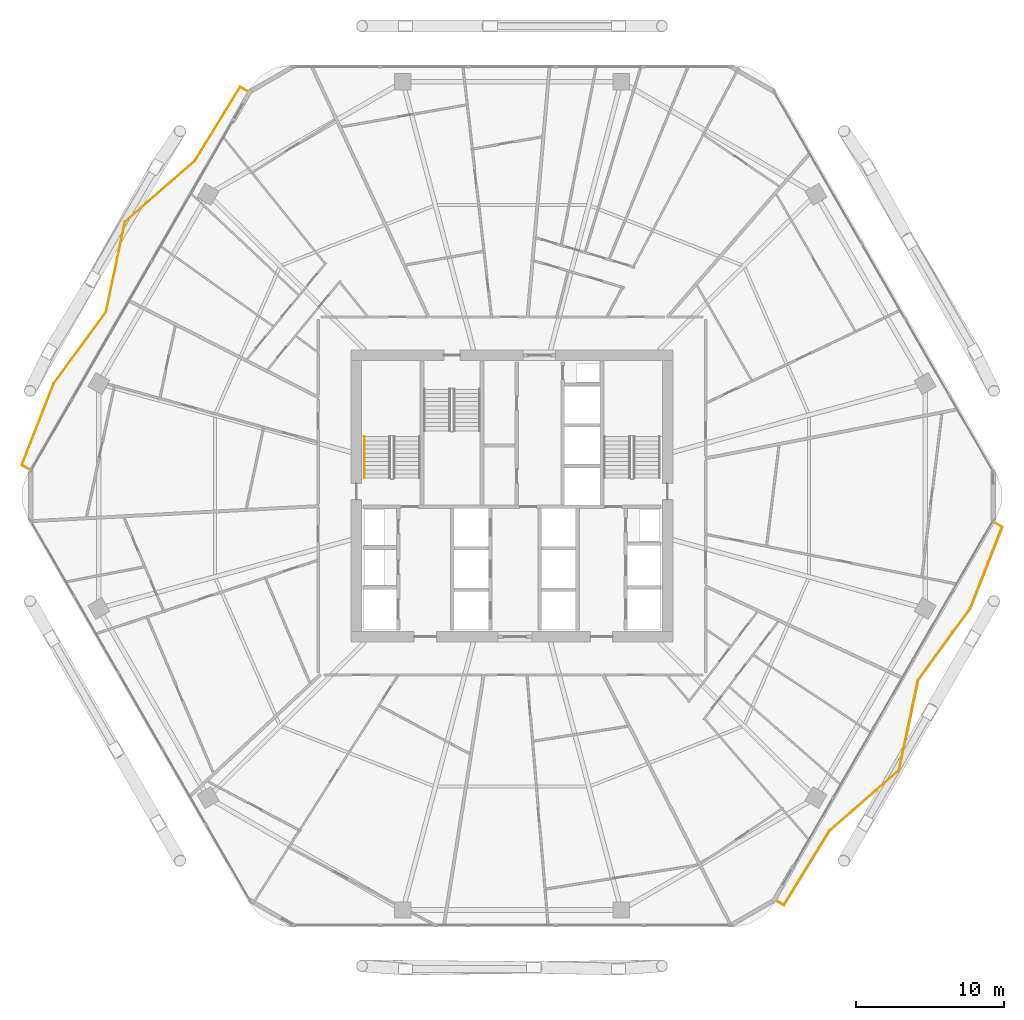
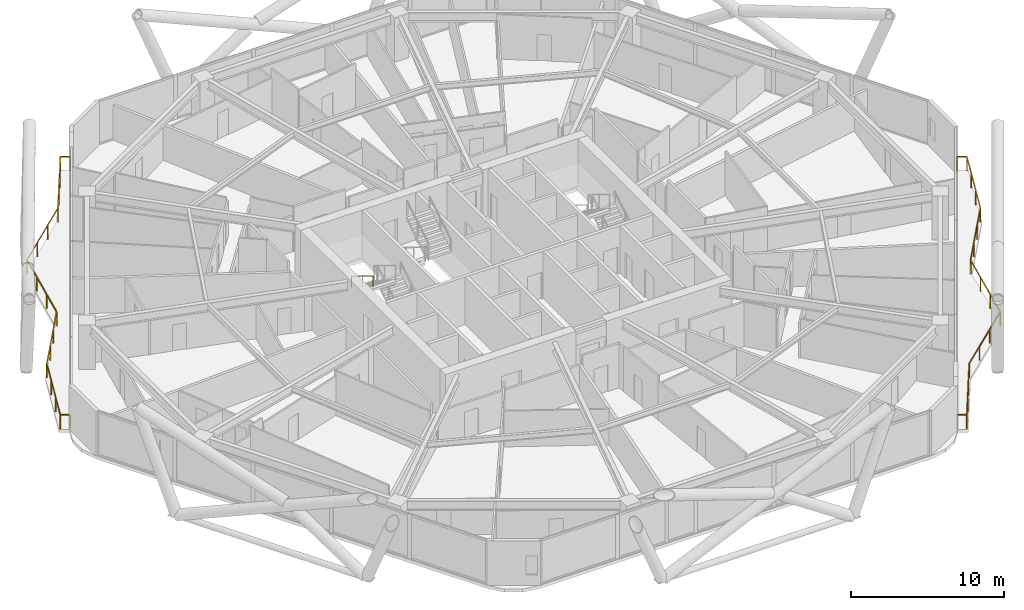
# One storey, part 33 of 34: 3 railings.
"""IFC4 building model written with IfcOpenShell, lengths in metres."""

from ifc_helpers import new_model, si_unit, direction, frame, origin, origin_2d, place, context, subcontext, project, spatial, rectangle, extrude, material, type_object, element, save


model = new_model("IFC4")

# Units and contexts
model_context = context("Model", 3, precision=1e-05, world=origin(), true_north=direction((0.0, 1.0)))
body_context = subcontext(model_context, "Body", "Model", "MODEL_VIEW")
ifc_project = project(units=[si_unit("LENGTHUNIT", "METRE"), si_unit("AREAUNIT", "SQUARE_METRE"), si_unit("VOLUMEUNIT", "CUBIC_METRE"), si_unit("PLANEANGLEUNIT", "RADIAN"), si_unit("MASSUNIT", "GRAM", prefix="KILO")], contexts=[model_context])

# Site, building, storey
site_placement = place(None, origin())
site = spatial("IfcSite", under=ifc_project, at=site_placement, CompositionType="ELEMENT")
building_placement = place(site_placement, origin())
building = spatial("IfcBuilding", under=site, at=building_placement, Name="Zuhravey Tower", CompositionType="ELEMENT")
storey_placement = place(building_placement, frame((0.0, 0.0, 130.39990234375)))
storey = spatial("IfcBuildingStorey", under=building, at=storey_placement, Name="L32", CompositionType="ELEMENT", Elevation=130.39990234375)

# Railings
ifc_material_1 = material(Name="Stainless steel 316 and laminated glass", Category="steel")
railing_type_1 = type_object("IfcRailingType", Name="Balcony & Terrace Guardrail 1150", PredefinedType="BALUSTRADE", material=ifc_material_1)
railing_1_placement = place(storey_placement, frame((3.4833984375, 33.7666015625, 0.0)))
element("IfcRailing", 1, at=railing_1_placement, inside=storey, type_object=railing_type_1, Name="L32 Face 3 Wave Balcony Guardrail GR1", PredefinedType="BALUSTRADE", context=body_context, shape_type="SweptSolid", body=[
    extrude(rectangle(XDim=0.048095703125, YDim=0.048095703125, at=origin_2d()), frame((-0.001708984375, 0.0009765625, 1.1259765625), z_axis=(-0.866098561983, 0.499873264869, 0.0), x_axis=(-0.499873264869, -0.866098561983, 0.0)), (0.0, 0.0, 1.0), 0.64990234375),
    extrude(rectangle(XDim=0.048095703125, YDim=0.048095703125, at=origin_2d()), frame((-0.565673828125, 0.328857421875, 1.1259765625), z_axis=(0.365503842505, 0.9308098308, 0.0), x_axis=(-0.9308098308, 0.365503842505, 0.0)), (0.0, 0.0, 1.0), 5.8955078125),
    extrude(rectangle(XDim=0.048095703125, YDim=0.048095703125, at=origin_2d()), frame((1.591064453125, 5.81982421875, 1.1259765625), z_axis=(0.589665088022, 0.807647871271, 0.0), x_axis=(-0.807647871271, 0.589665088022, 0.0)), (0.0, 0.0, 1.0), 5.969970703125),
    extrude(rectangle(XDim=0.048095703125, YDim=0.048095703125, at=origin_2d()), frame((5.113037109375, 10.64501953125, 1.1259765625), z_axis=(0.205641103943, 0.978627475789, 0.0), x_axis=(-0.978627475789, 0.205641103943, 0.0)), (0.0, 0.0, 1.0), 6.225341796875),
    extrude(rectangle(XDim=0.048095703125, YDim=0.048095703125, at=origin_2d()), frame((6.39501953125, 16.740478515625, 1.1259765625), z_axis=(0.753975532935, 0.656902500936, 0.0), x_axis=(-0.656902500936, 0.753975532935, 0.0)), (0.0, 0.0, 1.0), 6.248291015625),
    extrude(rectangle(XDim=0.048095703125, YDim=0.048095703125, at=origin_2d()), frame((11.108642578125, 20.84814453125, 1.1259765625), z_axis=(0.523638778118, 0.851940391137, 0.0), x_axis=(-0.851940391137, 0.523638778118, 0.0)), (0.0, 0.0, 1.0), 5.84765625),
    extrude(rectangle(XDim=0.048095703125, YDim=0.048095703125, at=origin_2d()), frame((14.173583984375, 25.830810546875, 1.1259765625), z_axis=(0.865919906206, -0.500182682664, 0.0), x_axis=(0.500182682664, 0.865919906206, 0.0)), (0.0, 0.0, 1.0), 0.638916015625),
    extrude(rectangle(XDim=0.0419921875, YDim=0.0419921875, at=origin_2d()), origin(), (0.0, 0.0, 1.0), 1.099853515625),
    extrude(rectangle(XDim=0.0419921875, YDim=0.0419921875, at=origin_2d()), frame((-0.56640625, 0.326904296875, 0.0)), (0.0, 0.0, 1.0), 1.099853515625),
    extrude(rectangle(XDim=0.0419921875, YDim=0.0419921875, at=origin_2d()), frame((0.15234375, 2.1572265625, 0.0)), (0.0, 0.0, 1.0), 1.099853515625),
    extrude(rectangle(XDim=0.0419921875, YDim=0.0419921875, at=origin_2d()), frame((0.87109375, 3.98779296875, 0.0)), (0.0, 0.0, 1.0), 1.099853515625),
    extrude(rectangle(XDim=0.0419921875, YDim=0.0419921875, at=origin_2d()), frame((1.58984375, 5.818115234375, 0.0)), (0.0, 0.0, 1.0), 1.099853515625),
    extrude(rectangle(XDim=0.0419921875, YDim=0.0419921875, at=origin_2d()), frame((2.76416015625, 7.426513671875, 0.0)), (0.0, 0.0, 1.0), 1.099853515625),
    extrude(rectangle(XDim=0.0419921875, YDim=0.0419921875, at=origin_2d()), frame((3.938232421875, 9.03466796875, 0.0)), (0.0, 0.0, 1.0), 1.099853515625),
    extrude(rectangle(XDim=0.0419921875, YDim=0.0419921875, at=origin_2d()), frame((5.112548828125, 10.64306640625, 0.0)), (0.0, 0.0, 1.0), 1.099853515625),
    extrude(rectangle(XDim=0.0419921875, YDim=0.0419921875, at=origin_2d()), frame((5.53955078125, 12.675048828125, 0.0)), (0.0, 0.0, 1.0), 1.099853515625),
    extrude(rectangle(XDim=0.0419921875, YDim=0.0419921875, at=origin_2d()), frame((5.966552734375, 14.707275390625, 0.0)), (0.0, 0.0, 1.0), 1.099853515625),
    extrude(rectangle(XDim=0.0419921875, YDim=0.0419921875, at=origin_2d()), frame((6.3935546875, 16.7392578125, 0.0)), (0.0, 0.0, 1.0), 1.099853515625),
    extrude(rectangle(XDim=0.0419921875, YDim=0.0419921875, at=origin_2d()), frame((7.96484375, 18.1083984375, 0.0)), (0.0, 0.0, 1.0), 1.099853515625),
    extrude(rectangle(XDim=0.0419921875, YDim=0.0419921875, at=origin_2d()), frame((9.536376953125, 19.477294921875, 0.0)), (0.0, 0.0, 1.0), 1.099853515625),
    extrude(rectangle(XDim=0.0419921875, YDim=0.0419921875, at=origin_2d()), frame((11.107666015625, 20.846435546875, 0.0)), (0.0, 0.0, 1.0), 1.099853515625),
    extrude(rectangle(XDim=0.0419921875, YDim=0.0419921875, at=origin_2d()), frame((12.129150390625, 22.50830078125, 0.0)), (0.0, 0.0, 1.0), 1.099853515625),
    extrude(rectangle(XDim=0.0419921875, YDim=0.0419921875, at=origin_2d()), frame((13.150390625, 24.169921875, 0.0)), (0.0, 0.0, 1.0), 1.099853515625),
    extrude(rectangle(XDim=0.0419921875, YDim=0.0419921875, at=origin_2d()), frame((14.171875, 25.831787109375, 0.0)), (0.0, 0.0, 1.0), 1.099853515625),
    extrude(rectangle(XDim=0.0419921875, YDim=0.0419921875, at=origin_2d()), frame((14.728515625, 25.51025390625, 0.0)), (0.0, 0.0, 1.0), 1.099853515625),
])
railing_2_placement = place(storey_placement, frame((68.5166015625, 30.2333984375, 0.0)))
element("IfcRailing", 2, at=railing_2_placement, inside=storey, type_object=railing_type_1, Name="L32 Face 6 Wave Balcony Guardrail GR1", PredefinedType="BALUSTRADE", context=body_context, shape_type="SweptSolid", body=[
    extrude(rectangle(XDim=0.048095703125, YDim=0.048095703125, at=origin_2d()), frame((0.001708984375, -0.0009765625, 1.1259765625), z_axis=(0.866098561983, -0.499873264869, 0.0), x_axis=(0.499873264869, 0.866098561983, 0.0)), (0.0, 0.0, 1.0), 0.64990234375),
    extrude(rectangle(XDim=0.048095703125, YDim=0.048095703125, at=origin_2d()), frame((0.565673828125, -0.328857421875, 1.1259765625), z_axis=(-0.365503842505, -0.9308098308, 0.0), x_axis=(0.9308098308, -0.365503842505, 0.0)), (0.0, 0.0, 1.0), 5.8955078125),
    extrude(rectangle(XDim=0.048095703125, YDim=0.048095703125, at=origin_2d()), frame((-1.591064453125, -5.81982421875, 1.1259765625), z_axis=(-0.589665088022, -0.807647871271, 0.0), x_axis=(0.807647871271, -0.589665088022, 0.0)), (0.0, 0.0, 1.0), 5.969970703125),
    extrude(rectangle(XDim=0.048095703125, YDim=0.048095703125, at=origin_2d()), frame((-5.113037109375, -10.64501953125, 1.1259765625), z_axis=(-0.205641103943, -0.978627475789, 0.0), x_axis=(0.978627475789, -0.205641103943, 0.0)), (0.0, 0.0, 1.0), 6.225341796875),
    extrude(rectangle(XDim=0.048095703125, YDim=0.048095703125, at=origin_2d()), frame((-6.39501953125, -16.740478515625, 1.1259765625), z_axis=(-0.753975532935, -0.656902500936, 0.0), x_axis=(0.656902500936, -0.753975532935, 0.0)), (0.0, 0.0, 1.0), 6.248291015625),
    extrude(rectangle(XDim=0.048095703125, YDim=0.048095703125, at=origin_2d()), frame((-11.108642578125, -20.84814453125, 1.1259765625), z_axis=(-0.523638778118, -0.851940391137, 0.0), x_axis=(0.851940391137, -0.523638778118, 0.0)), (0.0, 0.0, 1.0), 5.84765625),
    extrude(rectangle(XDim=0.048095703125, YDim=0.048095703125, at=origin_2d()), frame((-14.173583984375, -25.830810546875, 1.1259765625), z_axis=(-0.865919906206, 0.500182682664, 0.0), x_axis=(-0.500182682664, -0.865919906206, 0.0)), (0.0, 0.0, 1.0), 0.638916015625),
    extrude(rectangle(XDim=0.0419921875, YDim=0.0419921875, at=origin_2d()), origin(), (0.0, 0.0, 1.0), 1.099853515625),
    extrude(rectangle(XDim=0.0419921875, YDim=0.0419921875, at=origin_2d()), frame((0.56640625, -0.326904296875, 0.0)), (0.0, 0.0, 1.0), 1.099853515625),
    extrude(rectangle(XDim=0.0419921875, YDim=0.0419921875, at=origin_2d()), frame((-0.15234375, -2.1572265625, 0.0)), (0.0, 0.0, 1.0), 1.099853515625),
    extrude(rectangle(XDim=0.0419921875, YDim=0.0419921875, at=origin_2d()), frame((-0.87109375, -3.98779296875, 0.0)), (0.0, 0.0, 1.0), 1.099853515625),
    extrude(rectangle(XDim=0.0419921875, YDim=0.0419921875, at=origin_2d()), frame((-1.58984375, -5.818115234375, 0.0)), (0.0, 0.0, 1.0), 1.099853515625),
    extrude(rectangle(XDim=0.0419921875, YDim=0.0419921875, at=origin_2d()), frame((-2.76416015625, -7.426513671875, 0.0)), (0.0, 0.0, 1.0), 1.099853515625),
    extrude(rectangle(XDim=0.0419921875, YDim=0.0419921875, at=origin_2d()), frame((-3.938232421875, -9.03466796875, 0.0)), (0.0, 0.0, 1.0), 1.099853515625),
    extrude(rectangle(XDim=0.0419921875, YDim=0.0419921875, at=origin_2d()), frame((-5.112548828125, -10.64306640625, 0.0)), (0.0, 0.0, 1.0), 1.099853515625),
    extrude(rectangle(XDim=0.0419921875, YDim=0.0419921875, at=origin_2d()), frame((-5.53955078125, -12.675048828125, 0.0)), (0.0, 0.0, 1.0), 1.099853515625),
    extrude(rectangle(XDim=0.0419921875, YDim=0.0419921875, at=origin_2d()), frame((-5.966552734375, -14.707275390625, 0.0)), (0.0, 0.0, 1.0), 1.099853515625),
    extrude(rectangle(XDim=0.0419921875, YDim=0.0419921875, at=origin_2d()), frame((-6.3935546875, -16.7392578125, 0.0)), (0.0, 0.0, 1.0), 1.099853515625),
    extrude(rectangle(XDim=0.0419921875, YDim=0.0419921875, at=origin_2d()), frame((-7.96484375, -18.1083984375, 0.0)), (0.0, 0.0, 1.0), 1.099853515625),
    extrude(rectangle(XDim=0.0419921875, YDim=0.0419921875, at=origin_2d()), frame((-9.536376953125, -19.477294921875, 0.0)), (0.0, 0.0, 1.0), 1.099853515625),
    extrude(rectangle(XDim=0.0419921875, YDim=0.0419921875, at=origin_2d()), frame((-11.107666015625, -20.846435546875, 0.0)), (0.0, 0.0, 1.0), 1.099853515625),
    extrude(rectangle(XDim=0.0419921875, YDim=0.0419921875, at=origin_2d()), frame((-12.129150390625, -22.50830078125, 0.0)), (0.0, 0.0, 1.0), 1.099853515625),
    extrude(rectangle(XDim=0.0419921875, YDim=0.0419921875, at=origin_2d()), frame((-13.150390625, -24.169921875, 0.0)), (0.0, 0.0, 1.0), 1.099853515625),
    extrude(rectangle(XDim=0.0419921875, YDim=0.0419921875, at=origin_2d()), frame((-14.171875, -25.831787109375, 0.0)), (0.0, 0.0, 1.0), 1.099853515625),
    extrude(rectangle(XDim=0.0419921875, YDim=0.0419921875, at=origin_2d()), frame((-14.728515625, -25.51025390625, 0.0)), (0.0, 0.0, 1.0), 1.099853515625),
])
ifc_material_2 = material(Name="Brushed stainless steel", Category="steel")
railing_type_2 = type_object("IfcRailingType", Name="Stair Wall Handrail 900", PredefinedType="HANDRAIL", material=ifc_material_2)
railing_3_placement = place(storey_placement, frame((26.050048828125, 36.0, 2.07275390625)))
element("IfcRailing", 3, at=railing_3_placement, inside=storey, type_object=railing_type_2, Name="L32 ST1 stair handrail 2", PredefinedType="HANDRAIL", context=body_context, shape_type="SweptSolid", body=[
    extrude(rectangle(XDim=0.048095703125, YDim=0.048095703125, at=origin_2d()), frame((0.0, -0.001708984375, 0.876953125), z_axis=(0.0, -0.851089632645, 0.525020415988), x_axis=(1.0, 0.0, 0.0)), (0.0, 0.0, 1.0), 3.285888671875),
    extrude(rectangle(XDim=0.0419921875, YDim=0.0419921875, at=origin_2d()), origin(), (0.0, 0.0, 1.0), 0.849853515625),
    extrude(rectangle(XDim=0.0419921875, YDim=0.0419921875, at=origin_2d()), frame((0.0, -1.39990234375, 0.86376953125)), (0.0, 0.0, 1.0), 0.849853515625),
    extrude(rectangle(XDim=0.0419921875, YDim=0.0419921875, at=origin_2d()), frame((0.0, -2.800048828125, 1.727294921875)), (0.0, 0.0, 1.0), 0.849853515625),
])

save(model, "model.ifc")
